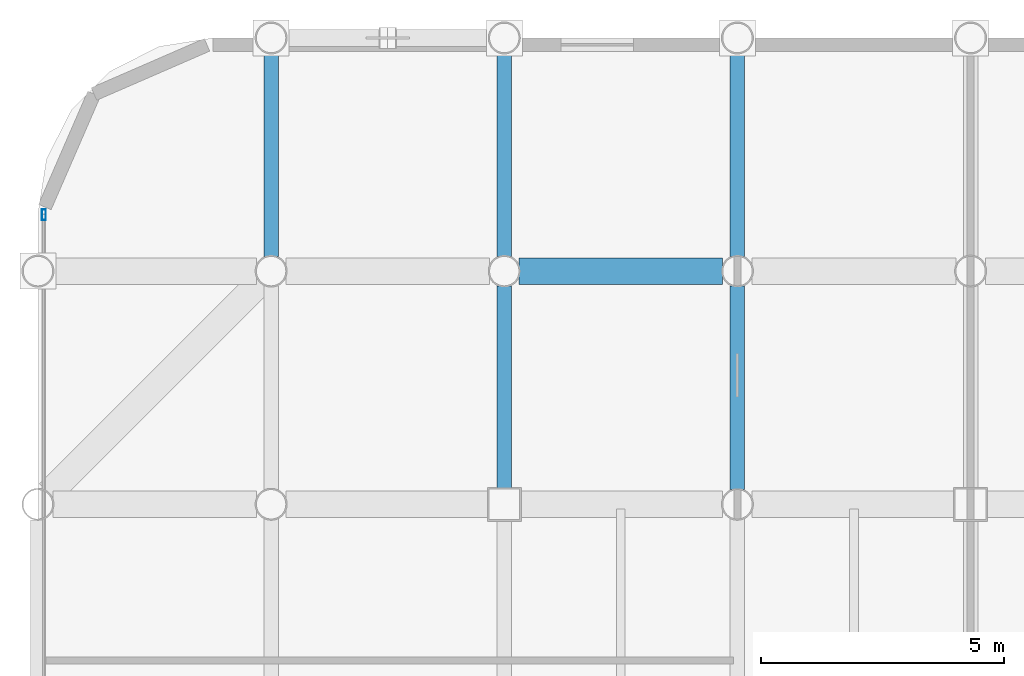
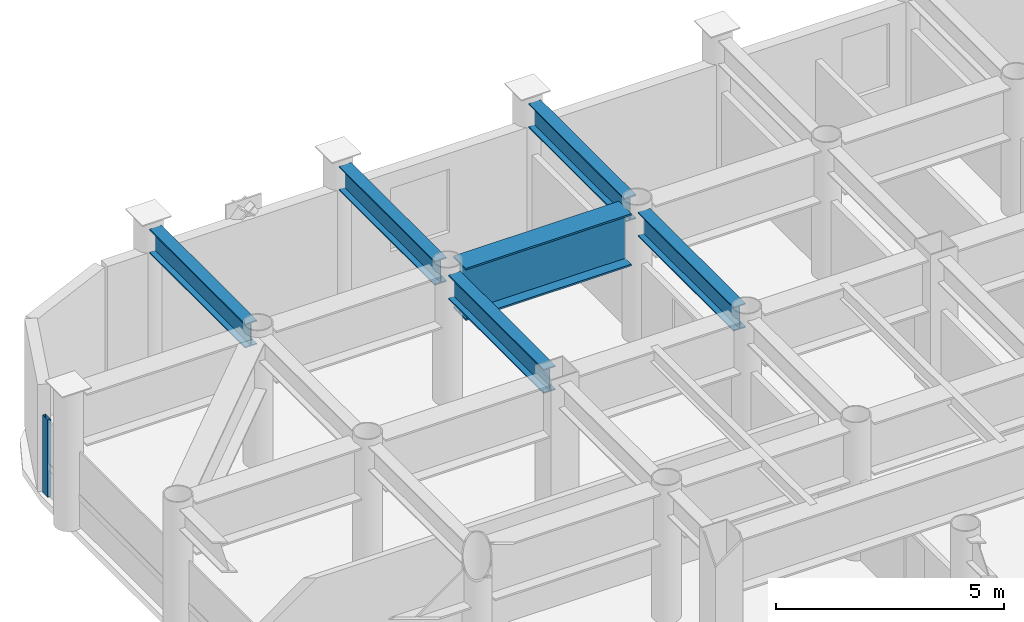
# One storey, part 12 of 24: 6 beams, 1 member, 1 element without a shape of its own.
"""IFC4 building model written with IfcOpenShell, lengths in metres."""

from ifc_helpers import new_model, si_unit, direction, frame, origin, origin_2d, place, context, subcontext, project, spatial, hollow_rectangle, i_section, extrude, material, layer, layer_set, material_profile, profile_set, type_object, element, aggregate, save


model = new_model("IFC4")

# Units and contexts
model_context = context("Model", 3, precision=1e-05, world=origin(), true_north=direction((0.0, 1.0)))
body_context = subcontext(model_context, "Body", "Model", "MODEL_VIEW")
ifc_project = project(units=[si_unit("LENGTHUNIT", "METRE"), si_unit("AREAUNIT", "SQUARE_METRE"), si_unit("VOLUMEUNIT", "CUBIC_METRE"), si_unit("PLANEANGLEUNIT", "RADIAN"), si_unit("MASSUNIT", "GRAM", prefix="KILO")], contexts=[model_context])

# Site, building, storey
site_placement = place(None, origin())
site = spatial("IfcSite", under=ifc_project, at=site_placement, CompositionType="ELEMENT")
building_placement = place(site_placement, origin())
building = spatial("IfcBuilding", under=site, at=building_placement, Name="Kallvorn Hotel Tower", CompositionType="ELEMENT")
storey_placement = place(building_placement, frame((0.0, 0.0, 150.699951171875)))
storey = spatial("IfcBuildingStorey", under=building, at=storey_placement, Name="L37", CompositionType="ELEMENT", Elevation=150.699951171875)

# Beams
ifc_material_1 = material(Name="Structural steel S355JR", Category="steel")
ifc_material_profile_1 = material_profile(ifc_material_1, i_section(OverallWidth=0.300048828125, OverallDepth=0.64990234375, WebThickness=0.01611328125, FlangeThickness=0.031005859375, at=origin_2d()), Name="HE 650 B")
ifc_profile_set_1 = profile_set([ifc_material_profile_1], Name="Structural steel S355JR")
beam_type_1 = type_object("IfcBeamType", Name="BM_HE650B", PredefinedType="BEAM", material=ifc_profile_set_1)
beam_1_placement = place(storey_placement, frame((-28.800048828125, 19.5048828125, 3.195068359375), z_axis=(0.0, 1.0, 0.0), x_axis=(-1.0, 0.0, 0.0)))
element("IfcBeam", 1, at=beam_1_placement, inside=storey, type_object=beam_type_1, Name="L38 Primary Y-Girder 94", PredefinedType="BEAM", context=body_context, shape_type="SweptSolid", body=[
    extrude(i_section(OverallWidth=0.300048828125, OverallDepth=0.64990234375, WebThickness=0.01611328125, FlangeThickness=0.031005859375, at=origin_2d()), origin(), (0.0, 0.0, 1.0), 4.190185546875),
])
beam_2_placement = place(storey_placement, frame((-24.0, 14.72509765625, 3.195068359375), z_axis=(0.0, 1.0, 0.0), x_axis=(-1.0, 0.0, 0.0)))
element("IfcBeam", 2, at=beam_2_placement, inside=storey, type_object=beam_type_1, Name="L38 Primary Y-Girder 100", PredefinedType="BEAM", context=body_context, shape_type="SweptSolid", body=[
    extrude(i_section(OverallWidth=0.300048828125, OverallDepth=0.64990234375, WebThickness=0.01611328125, FlangeThickness=0.031005859375, at=origin_2d()), origin(), (0.0, 0.0, 1.0), 4.169921875),
])
beam_3_placement = place(storey_placement, frame((-24.0, 19.5048828125, 3.195068359375), z_axis=(0.0, 1.0, 0.0), x_axis=(-1.0, 0.0, 0.0)))
element("IfcBeam", 3, at=beam_3_placement, inside=storey, type_object=beam_type_1, Name="L38 Primary Y-Girder 101", PredefinedType="BEAM", context=body_context, shape_type="SweptSolid", body=[
    extrude(i_section(OverallWidth=0.300048828125, OverallDepth=0.64990234375, WebThickness=0.01611328125, FlangeThickness=0.031005859375, at=origin_2d()), origin(), (0.0, 0.0, 1.0), 4.190185546875),
])
beam_4_placement = place(storey_placement, frame((-19.199951171875, 14.705078125, 3.195068359375), z_axis=(0.0, 1.0, 0.0), x_axis=(-1.0, 0.0, 0.0)))
element("IfcBeam", 4, at=beam_4_placement, inside=storey, type_object=beam_type_1, Name="L38 Primary Y-Girder 109", PredefinedType="BEAM", context=body_context, shape_type="SweptSolid", body=[
    extrude(i_section(OverallWidth=0.300048828125, OverallDepth=0.64990234375, WebThickness=0.01611328125, FlangeThickness=0.031005859375, at=origin_2d()), origin(), (0.0, 0.0, 1.0), 4.18994140625),
])
beam_5_placement = place(storey_placement, frame((-19.199951171875, 19.5048828125, 3.195068359375), z_axis=(0.0, 1.0, 0.0), x_axis=(-1.0, 0.0, 0.0)))
element("IfcBeam", 5, at=beam_5_placement, inside=storey, type_object=beam_type_1, Name="L38 Primary Y-Girder 110", PredefinedType="BEAM", context=body_context, shape_type="SweptSolid", body=[
    extrude(i_section(OverallWidth=0.300048828125, OverallDepth=0.64990234375, WebThickness=0.01611328125, FlangeThickness=0.031005859375, at=origin_2d()), origin(), (0.0, 0.0, 1.0), 4.190185546875),
])
ifc_material_2 = material(Name="Structural steel S355JR", Category="steel")
ifc_material_profile_2 = material_profile(ifc_material_2, i_section(OverallWidth=0.550048828125, OverallDepth=1.39990234375, WebThickness=0.02490234375, FlangeThickness=0.044921875, at=origin_2d()), Name="PG 1400x550x25x45")
ifc_profile_set_2 = profile_set([ifc_material_profile_2], Name="Structural steel S355JR")
beam_type_2 = type_object("IfcBeamType", Name="BM_PG_1400", PredefinedType="BEAM", material=ifc_profile_set_2)
beam_6_placement = place(storey_placement, frame((-23.695068359375, 19.199951171875, 2.820068359375), z_axis=(1.0, 0.0, 0.0), x_axis=(0.0, 1.0, 0.0)))
element("IfcBeam", 6, at=beam_6_placement, inside=storey, type_object=beam_type_2, Name="L38 Primary X-Girder 75", PredefinedType="BEAM", context=body_context, shape_type="SweptSolid", body=[
    extrude(i_section(OverallWidth=0.550048828125, OverallDepth=1.39990234375, WebThickness=0.02490234375, FlangeThickness=0.044921875, at=origin_2d()), origin(), (0.0, 0.0, 1.0), 4.190185546875),
])

# Curtain wall, member
ifc_material_3 = material(Name="Thermally broken black-anodised aluminium AA 6063-T6", Category="aluminium")
ifc_layer = layer(ifc_material_3, 0.2099609375)
ifc_layer_set = layer_set([ifc_layer], Name="CW_SYS_4_HOTEL_MID")
curtain_wall_type = type_object("IfcCurtainWallType", Name="CW_SYS_4_HOTEL_MID", PredefinedType="USERDEFINED", material=ifc_layer_set)
curtain_wall_placement = place(storey_placement, origin())
curtain_wall = element("IfcCurtainWall", 7, at=curtain_wall_placement, inside=storey, type_object=curtain_wall_type, Name="L37 Dark-Glass Curtain Wall CW-L37-WN", ObjectType="UNITISED CURTAIN WALL", PredefinedType="USERDEFINED")
ifc_material_4 = material(Name="Thermally broken black-anodised aluminium AA 6063-T6", Category="aluminium")
ifc_material_profile_3 = material_profile(ifc_material_4, hollow_rectangle(XDim=0.080078125, YDim=0.219970703125, WallThickness=0.0048828125, at=origin_2d()), Name="MUL 220x80")
ifc_profile_set_3 = profile_set([ifc_material_profile_3], Name="Thermally broken black-anodised aluminium AA 6063-T6")
member_type = type_object("IfcMemberType", Name="CW_MULLION_220x80", PredefinedType="MULLION", material=ifc_profile_set_3)
member_placement = place(storey_placement, frame((-33.47998046875, 20.360107421875, 0.02001953125), z_axis=(0.0, 0.0, 1.0), x_axis=(1.0, 0.0, 0.0)))
member = element("IfcMember", 8, at=member_placement, type_object=member_type, Name="CW-L37-WN Mullion 01", PredefinedType="MULLION", context=body_context, shape_type="SweptSolid", body=[
    extrude(hollow_rectangle(XDim=0.080078125, YDim=0.219970703125, WallThickness=0.0048828125, at=origin_2d()), origin(), (0.0, 0.0, 1.0), 2.080078125),
])
aggregate(curtain_wall, [member])

save(model, "model.ifc")
